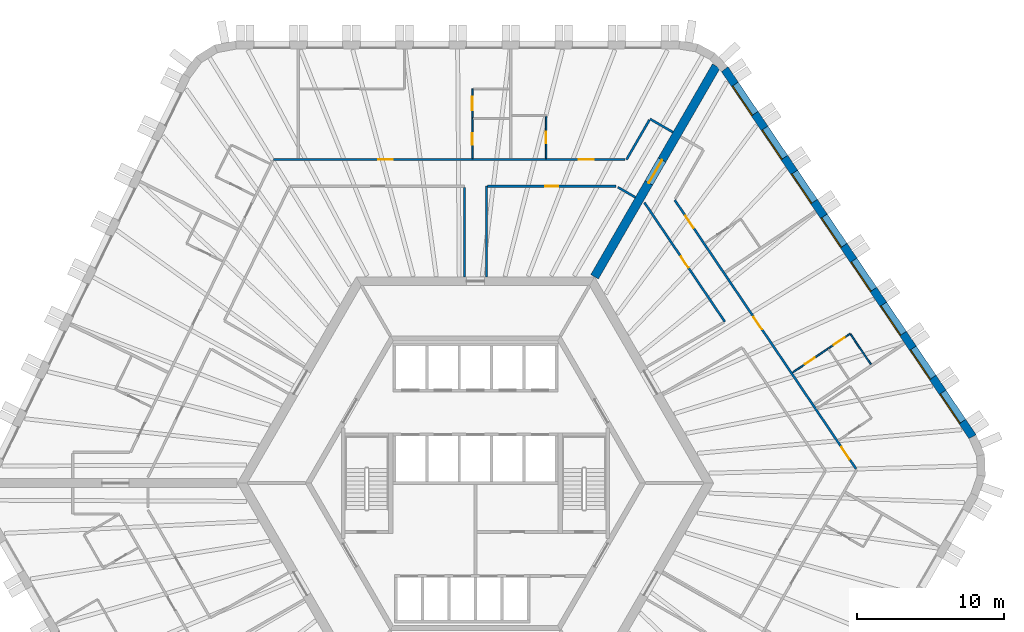
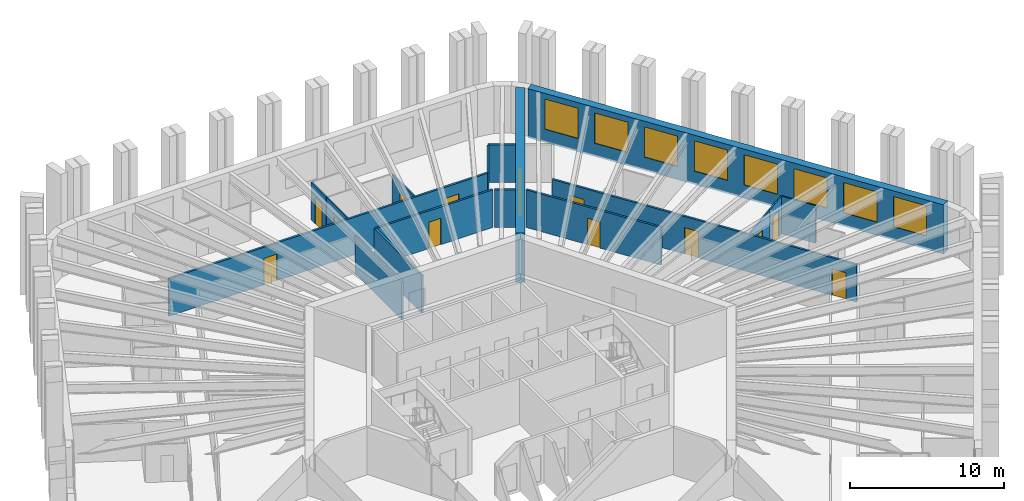
# One storey, part 9 of 12: 17 walls, 13 doors, 8 windows, 21 openings.
"""IFC4 building model written with IfcOpenShell, lengths in metres."""

from ifc_helpers import new_model, si_unit, direction, frame, frame_2d, origin, place, context, subcontext, project, spatial, polyline, rectangle, outline, extrude, material, layer, layer_set, type_object, element, fill, save


model = new_model("IFC4")

# Units and contexts
model_context = context("Model", 3, precision=1e-05, world=origin(), true_north=direction((0.0, 1.0)))
body_context = subcontext(model_context, "Body", "Model", "MODEL_VIEW")
ifc_project = project(units=[si_unit("LENGTHUNIT", "METRE"), si_unit("AREAUNIT", "SQUARE_METRE"), si_unit("VOLUMEUNIT", "CUBIC_METRE"), si_unit("PLANEANGLEUNIT", "RADIAN"), si_unit("MASSUNIT", "GRAM", prefix="KILO")], contexts=[model_context])

# Site, building, storey
site_placement = place(None, origin())
site = spatial("IfcSite", under=ifc_project, at=site_placement, CompositionType="ELEMENT")
building_placement = place(site_placement, origin())
building = spatial("IfcBuilding", under=site, at=building_placement, Name="Tarnside Tower", CompositionType="ELEMENT")
storey_placement = place(building_placement, frame((0.0, 0.0, 60.89990234375)))
storey = spatial("IfcBuildingStorey", under=building, at=storey_placement, Name="L12", CompositionType="ELEMENT", Elevation=60.89990234375)

# Wall, opening, door
ifc_material_1 = material(Name="Gypsum board partition on steel studs", Category="steel")
ifc_layer_1 = layer(ifc_material_1, 0.10009765625)
ifc_layer_set_1 = layer_set([ifc_layer_1], Name="Bathroom wall 100")
wall_type_1 = type_object("IfcWallType", Name="Bathroom wall 100", PredefinedType="PARTITIONING", material=ifc_layer_set_1)
wall_1_placement = place(storey_placement, frame((4.7890625, 24.89990234375, 0.0), z_axis=(0.0, 0.0, 1.0), x_axis=(0.0, -1.0, 0.0)))
wall_1 = element("IfcWall", 1, at=wall_1_placement, inside=storey, type_object=wall_type_1, Name="Bathroom wall 03073", PredefinedType="PARTITIONING", context=body_context, shape_type="SweptSolid", body=[
    extrude(rectangle(XDim=2.875, YDim=0.10009765625, at=frame_2d((1.4375, 0.0))), origin(), (0.0, 0.0, 1.0), 2.98779296875),
])
opening_1_placement = place(wall_1_placement, frame((1.050048828125, 0.0, 0.0)))
opening_1 = element("IfcOpeningElement", 2, at=opening_1_placement, cuts=wall_1, Name="Opening D-B1", PredefinedType="OPENING", context=body_context, shape_type="SweptSolid", body=[
    extrude(rectangle(XDim=0.800048828125, YDim=2.10009765625, at=frame_2d((0.39990234375, 1.050048828125))), frame((0.0, 0.06005859375, 0.0), z_axis=(0.0, -1.0, 0.0), x_axis=(1.0, 0.0, 0.0)), (0.0, 0.0, 1.0), 0.1201171875),
])
ifc_material_2 = material(Name="Timber door leaf", Category="wood")
door_type_1 = type_object("IfcDoorType", Name="Bathroom door 800", OperationType="NOTDEFINED", PredefinedType="DOOR", material=ifc_material_2)
door_1_placement = place(opening_1_placement, origin())
door_1 = element("IfcDoor", 3, at=door_1_placement, inside=storey, type_object=door_type_1, Name="Bathroom door 03002", OperationType="SINGLE_SWING_LEFT", OverallHeight=2.10009765625, OverallWidth=0.800048828125, PredefinedType="DOOR", context=body_context, shape_type="SweptSolid", body=[
    extrude(rectangle(XDim=0.800048828125, YDim=2.10009765625, at=frame_2d((0.39990234375, 1.050048828125))), frame((0.0, 0.02490234375, 0.0), z_axis=(0.0, -1.0, 0.0), x_axis=(1.0, 0.0, 0.0)), (0.0, 0.0, 1.0), 0.050048828125),
])
fill(opening_1, door_1)

wall_2_placement = place(storey_placement, frame((-0.2109375, 22.02490234375, 0.0), z_axis=(0.0, 0.0, 1.0), x_axis=(0.0, 1.0, 0.0)))
wall_2 = element("IfcWall", 4, at=wall_2_placement, inside=storey, type_object=wall_type_1, Name="Bathroom wall 03078", PredefinedType="PARTITIONING", context=body_context, shape_type="SweptSolid", body=[
    extrude(rectangle(XDim=2.72509765625, YDim=0.10009765625, at=frame_2d((1.362548828125, 0.0))), origin(), (0.0, 0.0, 1.0), 2.98779296875),
])
opening_2_placement = place(wall_2_placement, frame((0.925048828125, 0.0, 0.0)))
opening_2 = element("IfcOpeningElement", 5, at=opening_2_placement, cuts=wall_2, Name="Opening D-B1", PredefinedType="OPENING", context=body_context, shape_type="SweptSolid", body=[
    extrude(rectangle(XDim=0.800048828125, YDim=2.10009765625, at=frame_2d((0.39990234375, 1.050048828125))), frame((0.0, 0.06005859375, 0.0), z_axis=(0.0, -1.0, 0.0), x_axis=(1.0, 0.0, 0.0)), (0.0, 0.0, 1.0), 0.1201171875),
])
door_2_placement = place(opening_2_placement, origin())
door_2 = element("IfcDoor", 6, at=door_2_placement, inside=storey, type_object=door_type_1, Name="Bathroom door 03004", OperationType="SINGLE_SWING_RIGHT", OverallHeight=2.10009765625, OverallWidth=0.800048828125, PredefinedType="DOOR", context=body_context, shape_type="SweptSolid", body=[
    extrude(rectangle(XDim=0.800048828125, YDim=2.10009765625, at=frame_2d((0.39990234375, 1.050048828125))), frame((0.0, 0.02490234375, 0.0), z_axis=(0.0, -1.0, 0.0), x_axis=(1.0, 0.0, 0.0)), (0.0, 0.0, 1.0), 0.050048828125),
])
fill(opening_2, door_2)

wall_3_placement = place(storey_placement, frame((21.509033203125, 7.49853515625, 0.0), z_axis=(0.0, 0.0, 1.0), x_axis=(0.829033436212, 0.559199035802, 0.0)))
wall_3 = element("IfcWall", 7, at=wall_3_placement, inside=storey, type_object=wall_type_1, Name="Bathroom wall 03144", PredefinedType="PARTITIONING", context=body_context, shape_type="SweptSolid", body=[
    extrude(rectangle(XDim=2.925048828125, YDim=0.10009765625, at=frame_2d((1.46240234375, 0.0))), origin(), (0.0, 0.0, 1.0), 2.98779296875),
])
opening_3_placement = place(wall_3_placement, frame((1.02490234375, 0.0, 0.0)))
opening_3 = element("IfcOpeningElement", 8, at=opening_3_placement, cuts=wall_3, Name="Opening D-B1", PredefinedType="OPENING", context=body_context, shape_type="SweptSolid", body=[
    extrude(rectangle(XDim=0.800048828125, YDim=2.10009765625, at=frame_2d((0.39990234375, 1.050048828125))), frame((0.0, 0.06005859375, 0.0), z_axis=(0.0, -1.0, 0.0), x_axis=(1.0, 0.0, 0.0)), (0.0, 0.0, 1.0), 0.1201171875),
])
door_3_placement = place(opening_3_placement, origin())
door_3 = element("IfcDoor", 9, at=door_3_placement, inside=storey, type_object=door_type_1, Name="Bathroom door 03035", OperationType="SINGLE_SWING_RIGHT", OverallHeight=2.10009765625, OverallWidth=0.800048828125, PredefinedType="DOOR", context=body_context, shape_type="SweptSolid", body=[
    extrude(rectangle(XDim=0.800048828125, YDim=2.10009765625, at=frame_2d((0.39990234375, 1.050048828125))), frame((0.0, 0.02490234375, 0.0), z_axis=(0.0, -1.0, 0.0), x_axis=(1.0, 0.0, 0.0)), (0.0, 0.0, 1.0), 0.050048828125),
])
fill(opening_3, door_3)

ifc_material_3 = material(Name="Concrete C80/95", Category="concrete")
ifc_layer_2 = layer(ifc_material_3, 0.60009765625)
ifc_layer_set_2 = layer_set([ifc_layer_2], Name="Core wall Z1 600 C80/95")
wall_type_2 = type_object("IfcWallType", Name="Core wall Z1 600 C80/95", PredefinedType="SHEAR", material=ifc_layer_set_2)
wall_4_placement = place(storey_placement, frame((8.0830078125, 14.0, -0.14990234375), z_axis=(0.0, 0.0, 1.0), x_axis=(0.499997680643, 0.866026742862, 0.0)))
wall_4 = element("IfcWall", 10, at=wall_4_placement, inside=storey, type_object=wall_type_2, Name="L12 spine wall 1", PredefinedType="SHEAR", context=body_context, shape_type="SweptSolid", body=[
    extrude(rectangle(XDim=16.5087890625, YDim=0.60009765625, at=frame_2d((8.25439453125, 0.0))), origin(), (0.0, 0.0, 1.0), 3.89990234375),
])
opening_4_placement = place(wall_4_placement, frame((7.3544921875, 0.0, 0.14990234375)))
opening_4 = element("IfcOpeningElement", 11, at=opening_4_placement, cuts=wall_4, Name="Opening CD-SPN", PredefinedType="OPENING", context=body_context, shape_type="SweptSolid", body=[
    extrude(rectangle(XDim=1.800048828125, YDim=2.39990234375, at=frame_2d((0.89990234375, 1.199951171875))), frame((0.0, 0.31005859375, 0.0), z_axis=(0.0, -1.0, 0.0), x_axis=(1.0, 0.0, 0.0)), (0.0, 0.0, 1.0), 0.6201171875),
])
ifc_material_4 = material(Name="Steel fire door", Category="steel")
door_type_2 = type_object("IfcDoorType", Name="Spine passage double door FD60 1800x2400", OperationType="NOTDEFINED", PredefinedType="DOOR", material=ifc_material_4)
door_4_placement = place(opening_4_placement, origin())
door_4 = element("IfcDoor", 12, at=door_4_placement, inside=storey, type_object=door_type_2, Name="L12 spine passage door 1", OperationType="DOUBLE_DOOR_SINGLE_SWING", OverallHeight=2.39990234375, OverallWidth=1.800048828125, PredefinedType="DOOR", context=body_context, shape_type="SweptSolid", body=[
    extrude(rectangle(XDim=1.800048828125, YDim=2.39990234375, at=frame_2d((0.89990234375, 1.199951171875))), frame((0.0, 0.02490234375, 0.0), z_axis=(0.0, -1.0, 0.0), x_axis=(1.0, 0.0, 0.0)), (0.0, 0.0, 1.0), 0.050048828125),
])
fill(opening_4, door_4)

# Walls
ifc_layer_3 = layer(ifc_material_1, 0.14990234375)
ifc_layer_set_3 = layer_set([ifc_layer_3], Name="Corridor wall 150 EI 60")
wall_type_3 = type_object("IfcWallType", Name="Corridor wall 150 EI 60", PredefinedType="PARTITIONING", material=ifc_layer_set_3)
wall_5_placement = place(storey_placement, frame((13.400390625, 23.81005859375, 0.0), z_axis=(0.0, 0.0, 1.0), x_axis=(-0.865989075817, 0.500062916607, 0.0)))
element("IfcWall", 13, at=wall_5_placement, inside=storey, type_object=wall_type_3, Name="Corridor wall 03001", PredefinedType="PARTITIONING", context=body_context, shape_type="SweptSolid", body=[
    extrude(rectangle(XDim=1.800048828125, YDim=0.14990234375, at=frame_2d((0.89990234375, 0.0))), origin(), (0.0, 0.0, 1.0), 2.98779296875),
])
wall_6_placement = place(storey_placement, frame((11.803955078125, 24.64501953125, 0.0), z_axis=(0.0, 0.0, 1.0), x_axis=(-0.499978251519, -0.866037959912, 0.0)))
element("IfcWall", 14, at=wall_6_placement, inside=storey, type_object=wall_type_3, Name="Corridor wall 03002", PredefinedType="PARTITIONING", context=body_context, shape_type="SweptSolid", body=[
    extrude(rectangle(XDim=3.112060546875, YDim=0.14990234375, at=frame_2d((1.55615234375, 0.0))), origin(), (0.0, 0.0, 1.0), 2.98779296875),
])

# Wall, openings, doors
wall_7_placement = place(storey_placement, frame((10.161376953125, 21.949951171875, 0.0), z_axis=(0.0, 0.0, 1.0), x_axis=(-1.0, 0.0, 0.0)))
wall_7 = element("IfcWall", 15, at=wall_7_placement, inside=storey, type_object=wall_type_3, Name="Corridor wall 03003", PredefinedType="PARTITIONING", context=body_context, shape_type="SweptSolid", body=[
    extrude(rectangle(XDim=23.877197265625, YDim=0.14990234375, at=frame_2d((11.9384765625, 0.0))), origin(), (0.0, 0.0, 1.0), 2.98779296875),
])
opening_5_placement = place(wall_7_placement, frame((2.142822265625, 0.0, 0.0)))
opening_5 = element("IfcOpeningElement", 16, at=opening_5_placement, cuts=wall_7, Name="Opening D-E1", PredefinedType="OPENING", context=body_context, shape_type="SweptSolid", body=[
    extrude(rectangle(XDim=1.0, YDim=2.10009765625, at=frame_2d((0.5, 1.050048828125))), frame((0.0, 0.0849609375, 0.0), z_axis=(0.0, -1.0, 0.0), x_axis=(1.0, 0.0, 0.0)), (0.0, 0.0, 1.0), 0.169921875),
])
opening_6_placement = place(wall_7_placement, frame((15.7724609375, 0.0, 0.0)))
opening_6 = element("IfcOpeningElement", 17, at=opening_6_placement, cuts=wall_7, Name="Opening D-E1", PredefinedType="OPENING", context=body_context, shape_type="SweptSolid", body=[
    extrude(rectangle(XDim=1.0, YDim=2.10009765625, at=frame_2d((0.5, 1.050048828125))), frame((0.0, 0.0849609375, 0.0), z_axis=(0.0, -1.0, 0.0), x_axis=(1.0, 0.0, 0.0)), (0.0, 0.0, 1.0), 0.169921875),
])
door_type_3 = type_object("IfcDoorType", Name="Unit entrance door 1000 FD30S", OperationType="NOTDEFINED", PredefinedType="DOOR", material=ifc_material_2)
door_5_placement = place(opening_5_placement, origin())
door_5 = element("IfcDoor", 18, at=door_5_placement, inside=storey, type_object=door_type_3, Name="Unit door 03001", OperationType="SINGLE_SWING_RIGHT", OverallHeight=2.10009765625, OverallWidth=1.0, PredefinedType="DOOR", context=body_context, shape_type="SweptSolid", body=[
    extrude(rectangle(XDim=1.0, YDim=2.10009765625, at=frame_2d((0.5, 1.050048828125))), frame((0.0, 0.02490234375, 0.0), z_axis=(0.0, -1.0, 0.0), x_axis=(1.0, 0.0, 0.0)), (0.0, 0.0, 1.0), 0.050048828125),
])
fill(opening_5, door_5)
door_6_placement = place(opening_6_placement, origin())
door_6 = element("IfcDoor", 19, at=door_6_placement, inside=storey, type_object=door_type_3, Name="Unit door 03003", OperationType="SINGLE_SWING_RIGHT", OverallHeight=2.10009765625, OverallWidth=1.0, PredefinedType="DOOR", context=body_context, shape_type="SweptSolid", body=[
    extrude(rectangle(XDim=1.0, YDim=2.10009765625, at=frame_2d((0.5, 1.050048828125))), frame((0.0, 0.02490234375, 0.0), z_axis=(0.0, -1.0, 0.0), x_axis=(1.0, 0.0, 0.0)), (0.0, 0.0, 1.0), 0.050048828125),
])
fill(opening_6, door_6)

# Walls
wall_8_placement = place(storey_placement, frame((-0.75, 20.074951171875, 0.0), z_axis=(0.0, 0.0, 1.0), x_axis=(0.0, -1.0, 0.0)))
element("IfcWall", 20, at=wall_8_placement, inside=storey, type_object=wall_type_3, Name="Corridor wall 03020", PredefinedType="PARTITIONING", context=body_context, shape_type="SweptSolid", body=[
    extrude(rectangle(XDim=6.074951171875, YDim=0.14990234375, at=frame_2d((3.03759765625, 0.0))), origin(), (0.0, 0.0, 1.0), 2.98779296875),
])
wall_9_placement = place(storey_placement, frame((0.75, 14.0, 0.0), z_axis=(0.0, 0.0, 1.0), x_axis=(0.0, 1.0, 0.0)))
element("IfcWall", 21, at=wall_9_placement, inside=storey, type_object=wall_type_3, Name="Corridor wall 03021", PredefinedType="PARTITIONING", context=body_context, shape_type="SweptSolid", body=[
    extrude(rectangle(XDim=6.14990234375, YDim=0.14990234375, at=frame_2d((3.074951171875, 0.0))), origin(), (0.0, 0.0, 1.0), 2.98779296875),
])

# Wall, opening, door
wall_10_placement = place(storey_placement, frame((0.824951171875, 20.14990234375, 0.0), z_axis=(0.0, 0.0, 1.0), x_axis=(1.0, 0.0, 0.0)))
wall_10 = element("IfcWall", 22, at=wall_10_placement, inside=storey, type_object=wall_type_3, Name="Corridor wall 03022", PredefinedType="PARTITIONING", context=body_context, shape_type="SweptSolid", body=[
    extrude(rectangle(XDim=8.712158203125, YDim=0.14990234375, at=frame_2d((4.35595703125, 0.0))), origin(), (0.0, 0.0, 1.0), 2.98779296875),
])
opening_7_placement = place(wall_10_placement, frame((3.906005859375, 0.0, 0.0)))
opening_7 = element("IfcOpeningElement", 23, at=opening_7_placement, cuts=wall_10, Name="Opening D-S1", PredefinedType="OPENING", context=body_context, shape_type="SweptSolid", body=[
    extrude(rectangle(XDim=0.89990234375, YDim=2.10009765625, at=frame_2d((0.449951171875, 1.050048828125))), frame((0.0, 0.0849609375, 0.0), z_axis=(0.0, -1.0, 0.0), x_axis=(1.0, 0.0, 0.0)), (0.0, 0.0, 1.0), 0.169921875),
])
door_type_4 = type_object("IfcDoorType", Name="Service room door 900 FD30S", OperationType="NOTDEFINED", PredefinedType="DOOR", material=ifc_material_2)
door_7_placement = place(opening_7_placement, origin())
door_7 = element("IfcDoor", 24, at=door_7_placement, inside=storey, type_object=door_type_4, Name="Service door 03040", OperationType="SINGLE_SWING_RIGHT", OverallHeight=2.10009765625, OverallWidth=0.89990234375, PredefinedType="DOOR", context=body_context, shape_type="SweptSolid", body=[
    extrude(rectangle(XDim=0.89990234375, YDim=2.10009765625, at=frame_2d((0.449951171875, 1.050048828125))), frame((0.0, 0.02490234375, 0.0), z_axis=(0.0, -1.0, 0.0), x_axis=(1.0, 0.0, 0.0)), (0.0, 0.0, 1.0), 0.050048828125),
])
fill(opening_7, door_7)

# Wall
wall_11_placement = place(storey_placement, frame((9.6669921875, 20.074951171875, 0.0), z_axis=(0.0, 0.0, 1.0), x_axis=(0.866000994684, -0.500042275419, 0.0)))
element("IfcWall", 25, at=wall_11_placement, inside=storey, type_object=wall_type_3, Name="Corridor wall 03023", PredefinedType="PARTITIONING", context=body_context, shape_type="SweptSolid", body=[
    extrude(rectangle(XDim=1.36572265625, YDim=0.14990234375, at=frame_2d((0.682861328125, 0.0))), origin(), (0.0, 0.0, 1.0), 2.98779296875),
])

# Wall, openings, doors
wall_12_placement = place(storey_placement, frame((25.820556640625, 0.972412109375, 0.0), z_axis=(0.0, 0.0, 1.0), x_axis=(-0.559201442833, 0.829031812619, 0.0)))
wall_12 = element("IfcWall", 26, at=wall_12_placement, inside=storey, type_object=wall_type_3, Name="Corridor wall 03053", PredefinedType="PARTITIONING", context=body_context, shape_type="SweptSolid", body=[
    extrude(rectangle(XDim=22.001953125, YDim=0.14990234375, at=frame_2d((11.0009765625, 0.0))), origin(), (0.0, 0.0, 1.0), 2.98779296875),
])
opening_8_placement = place(wall_12_placement, frame((0.76904296875, 0.0, 0.0)))
opening_8 = element("IfcOpeningElement", 27, at=opening_8_placement, cuts=wall_12, Name="Opening D-E1", PredefinedType="OPENING", context=body_context, shape_type="SweptSolid", body=[
    extrude(rectangle(XDim=1.0, YDim=2.10009765625, at=frame_2d((0.5, 1.050048828125))), frame((0.0, 0.0849609375, 0.0), z_axis=(0.0, -1.0, 0.0), x_axis=(1.0, 0.0, 0.0)), (0.0, 0.0, 1.0), 0.169921875),
])
opening_9_placement = place(wall_12_placement, frame((11.42138671875, 0.0, 0.0)))
opening_9 = element("IfcOpeningElement", 28, at=opening_9_placement, cuts=wall_12, Name="Opening D-E1", PredefinedType="OPENING", context=body_context, shape_type="SweptSolid", body=[
    extrude(rectangle(XDim=1.0, YDim=2.10009765625, at=frame_2d((0.5, 1.050048828125))), frame((0.0, 0.0849609375, 0.0), z_axis=(0.0, -1.0, 0.0), x_axis=(1.0, 0.0, 0.0)), (0.0, 0.0, 1.0), 0.169921875),
])
opening_10_placement = place(wall_12_placement, frame((19.71142578125, 0.0, 0.0)))
opening_10 = element("IfcOpeningElement", 29, at=opening_10_placement, cuts=wall_12, Name="Opening D-E1", PredefinedType="OPENING", context=body_context, shape_type="SweptSolid", body=[
    extrude(rectangle(XDim=1.0, YDim=2.10009765625, at=frame_2d((0.5, 1.050048828125))), frame((0.0, 0.0849609375, 0.0), z_axis=(0.0, -1.0, 0.0), x_axis=(1.0, 0.0, 0.0)), (0.0, 0.0, 1.0), 0.169921875),
])
door_8_placement = place(opening_8_placement, origin())
door_8 = element("IfcDoor", 30, at=door_8_placement, inside=storey, type_object=door_type_3, Name="Unit door 03032", OperationType="SINGLE_SWING_RIGHT", OverallHeight=2.10009765625, OverallWidth=1.0, PredefinedType="DOOR", context=body_context, shape_type="SweptSolid", body=[
    extrude(rectangle(XDim=1.0, YDim=2.10009765625, at=frame_2d((0.5, 1.050048828125))), frame((0.0, 0.02490234375, 0.0), z_axis=(0.0, -1.0, 0.0), x_axis=(1.0, 0.0, 0.0)), (0.0, 0.0, 1.0), 0.050048828125),
])
fill(opening_8, door_8)
door_9_placement = place(opening_9_placement, origin())
door_9 = element("IfcDoor", 31, at=door_9_placement, inside=storey, type_object=door_type_3, Name="Unit door 03034", OperationType="SINGLE_SWING_LEFT", OverallHeight=2.10009765625, OverallWidth=1.0, PredefinedType="DOOR", context=body_context, shape_type="SweptSolid", body=[
    extrude(rectangle(XDim=1.0, YDim=2.10009765625, at=frame_2d((0.5, 1.050048828125))), frame((0.0, 0.02490234375, 0.0), z_axis=(0.0, -1.0, 0.0), x_axis=(1.0, 0.0, 0.0)), (0.0, 0.0, 1.0), 0.050048828125),
])
fill(opening_9, door_9)
door_10_placement = place(opening_10_placement, origin())
door_10 = element("IfcDoor", 32, at=door_10_placement, inside=storey, type_object=door_type_3, Name="Unit door 03037", OperationType="SINGLE_SWING_RIGHT", OverallHeight=2.10009765625, OverallWidth=1.0, PredefinedType="DOOR", context=body_context, shape_type="SweptSolid", body=[
    extrude(rectangle(XDim=1.0, YDim=2.10009765625, at=frame_2d((0.5, 1.050048828125))), frame((0.0, 0.02490234375, 0.0), z_axis=(0.0, -1.0, 0.0), x_axis=(1.0, 0.0, 0.0)), (0.0, 0.0, 1.0), 0.050048828125),
])
fill(opening_10, door_10)

# Wall, opening, door
wall_13_placement = place(storey_placement, frame((11.464599609375, 19.037109375, 0.0), z_axis=(0.0, 0.0, 1.0), x_axis=(0.559196064773, -0.829035440221, 0.0)))
wall_13 = element("IfcWall", 33, at=wall_13_placement, inside=storey, type_object=wall_type_3, Name="Corridor wall 03070", PredefinedType="PARTITIONING", context=body_context, shape_type="SweptSolid", body=[
    extrude(rectangle(XDim=9.757080078125, YDim=0.14990234375, at=frame_2d((4.87841796875, 0.0))), origin(), (0.0, 0.0, 1.0), 2.98779296875),
])
opening_11_placement = place(wall_13_placement, frame((4.428466796875, 0.0, 0.0)))
opening_11 = element("IfcOpeningElement", 34, at=opening_11_placement, cuts=wall_13, Name="Opening D-S1", PredefinedType="OPENING", context=body_context, shape_type="SweptSolid", body=[
    extrude(rectangle(XDim=0.89990234375, YDim=2.10009765625, at=frame_2d((0.449951171875, 1.050048828125))), frame((0.0, 0.0849609375, 0.0), z_axis=(0.0, -1.0, 0.0), x_axis=(1.0, 0.0, 0.0)), (0.0, 0.0, 1.0), 0.169921875),
])
door_11_placement = place(opening_11_placement, origin())
door_11 = element("IfcDoor", 35, at=door_11_placement, inside=storey, type_object=door_type_4, Name="Service door 03047", OperationType="SINGLE_SWING_RIGHT", OverallHeight=2.10009765625, OverallWidth=0.89990234375, PredefinedType="DOOR", context=body_context, shape_type="SweptSolid", body=[
    extrude(rectangle(XDim=0.89990234375, YDim=2.10009765625, at=frame_2d((0.449951171875, 1.050048828125))), frame((0.0, 0.02490234375, 0.0), z_axis=(0.0, -1.0, 0.0), x_axis=(1.0, 0.0, 0.0)), (0.0, 0.0, 1.0), 0.050048828125),
])
fill(opening_11, door_11)

ifc_layer_4 = layer(ifc_material_1, 0.10009765625)
ifc_layer_set_4 = layer_set([ifc_layer_4], Name="Partition 100")
wall_type_4 = type_object("IfcWallType", Name="Partition 100", PredefinedType="PARTITIONING", material=ifc_layer_set_4)
wall_14_placement = place(storey_placement, frame((-0.2109375, 24.800048828125, 0.0), z_axis=(0.0, 0.0, 1.0), x_axis=(0.0, 1.0, 0.0)))
wall_14 = element("IfcWall", 36, at=wall_14_placement, inside=storey, type_object=wall_type_4, Name="Partition wall 03079", PredefinedType="PARTITIONING", context=body_context, shape_type="SweptSolid", body=[
    extrude(rectangle(XDim=1.949951171875, YDim=0.10009765625, at=frame_2d((0.97509765625, 0.0))), origin(), (0.0, 0.0, 1.0), 2.98779296875),
])
opening_12_placement = place(wall_14_placement, frame((0.5, 0.0, 0.0)))
opening_12 = element("IfcOpeningElement", 37, at=opening_12_placement, cuts=wall_14, Name="Opening D-I1", PredefinedType="OPENING", context=body_context, shape_type="SweptSolid", body=[
    extrude(rectangle(XDim=0.89990234375, YDim=2.10009765625, at=frame_2d((0.449951171875, 1.050048828125))), frame((0.0, 0.06005859375, 0.0), z_axis=(0.0, -1.0, 0.0), x_axis=(1.0, 0.0, 0.0)), (0.0, 0.0, 1.0), 0.1201171875),
])
door_type_5 = type_object("IfcDoorType", Name="Internal door 900", OperationType="NOTDEFINED", PredefinedType="DOOR", material=ifc_material_2)
door_12_placement = place(opening_12_placement, origin())
door_12 = element("IfcDoor", 38, at=door_12_placement, inside=storey, type_object=door_type_5, Name="Internal door 03005", OperationType="SINGLE_SWING_RIGHT", OverallHeight=2.10009765625, OverallWidth=0.89990234375, PredefinedType="DOOR", context=body_context, shape_type="SweptSolid", body=[
    extrude(rectangle(XDim=0.89990234375, YDim=2.10009765625, at=frame_2d((0.449951171875, 1.050048828125))), frame((0.0, 0.02490234375, 0.0), z_axis=(0.0, -1.0, 0.0), x_axis=(1.0, 0.0, 0.0)), (0.0, 0.0, 1.0), 0.050048828125),
])
fill(opening_12, door_12)

wall_15_placement = place(storey_placement, frame((23.975341796875, 9.162109375, 0.0), z_axis=(0.0, 0.0, 1.0), x_axis=(0.829011970545, 0.559230858138, 0.0)))
wall_15 = element("IfcWall", 39, at=wall_15_placement, inside=storey, type_object=wall_type_4, Name="Partition wall 03145", PredefinedType="PARTITIONING", context=body_context, shape_type="SweptSolid", body=[
    extrude(rectangle(XDim=1.750244140625, YDim=0.10009765625, at=frame_2d((0.875, 0.0))), origin(), (0.0, 0.0, 1.0), 2.98779296875),
])
opening_13_placement = place(wall_15_placement, frame((0.39990234375, 0.0, 0.0)))
opening_13 = element("IfcOpeningElement", 40, at=opening_13_placement, cuts=wall_15, Name="Opening D-I1", PredefinedType="OPENING", context=body_context, shape_type="SweptSolid", body=[
    extrude(rectangle(XDim=0.89990234375, YDim=2.10009765625, at=frame_2d((0.449951171875, 1.050048828125))), frame((0.0, 0.06005859375, 0.0), z_axis=(0.0, -1.0, 0.0), x_axis=(1.0, 0.0, 0.0)), (0.0, 0.0, 1.0), 0.1201171875),
])
door_13_placement = place(opening_13_placement, origin())
door_13 = element("IfcDoor", 41, at=door_13_placement, inside=storey, type_object=door_type_5, Name="Internal door 03036", OperationType="SINGLE_SWING_RIGHT", OverallHeight=2.10009765625, OverallWidth=0.89990234375, PredefinedType="DOOR", context=body_context, shape_type="SweptSolid", body=[
    extrude(rectangle(XDim=0.89990234375, YDim=2.10009765625, at=frame_2d((0.449951171875, 1.050048828125))), frame((0.0, 0.02490234375, 0.0), z_axis=(0.0, -1.0, 0.0), x_axis=(1.0, 0.0, 0.0)), (0.0, 0.0, 1.0), 0.050048828125),
])
fill(opening_13, door_13)

# Wall
wall_16_placement = place(storey_placement, frame((25.454345703125, 10.099365234375, 0.0), z_axis=(0.0, 0.0, 1.0), x_axis=(0.559135322609, -0.829076408427, 0.0)))
element("IfcWall", 42, at=wall_16_placement, inside=storey, type_object=wall_type_4, Name="Partition wall 03146", PredefinedType="PARTITIONING", context=body_context, shape_type="SweptSolid", body=[
    extrude(rectangle(XDim=2.4599609375, YDim=0.10009765625, at=frame_2d((1.22998046875, 0.0))), origin(), (0.0, 0.0, 1.0), 2.98779296875),
])

# Wall, openings, windows
ifc_material_5 = material(Name="Facing brick", Category="masonry")
ifc_layer_5 = layer(ifc_material_5, 0.10205078125)
ifc_material_6 = material(Name="Concrete C60/75 precast", Category="concrete")
ifc_layer_6 = layer(ifc_material_6, 0.347900390625)
ifc_material_7 = material(Name="Mineral wool insulation")
ifc_layer_7 = layer(ifc_material_7, 0.10009765625)
ifc_layer_set_5 = layer_set([ifc_layer_5, ifc_layer_6, ifc_layer_7], Name="Tube wall 550 brick faced")
wall_type_5 = type_object("IfcWallType", Name="Tube wall 550 brick faced", PredefinedType="SOLIDWALL", material=ifc_layer_set_5)
wall_17_placement = place(storey_placement, frame((33.72802734375, 3.153076171875, -0.14990234375), z_axis=(0.0, 0.0, 1.0), x_axis=(-0.559192411416, 0.82903790445, 0.0)))
wall_17 = element("IfcWall", 43, at=wall_17_placement, inside=storey, type_object=wall_type_5, Name="Tube wall L12 F6 flush 20", PredefinedType="SOLIDWALL", context=body_context, shape_type="SweptSolid", body=[
    extrude(outline(polyline([(-0.025634765625, -0.27490234375), (30.09326171875, -0.27490234375), (30.04833984375, 0.27490234375), (0.025634765625, 0.27490234375), (-0.025634765625, -0.27490234375)])), origin(), (0.0, 0.0, 1.0), 3.89990234375),
])
opening_14_placement = place(wall_17_placement, frame((1.235595703125, 0.0, 1.050048828125)))
opening_14 = element("IfcOpeningElement", 44, at=opening_14_placement, cuts=wall_17, Name="Opening WH", PredefinedType="OPENING", context=body_context, shape_type="SweptSolid", body=[
    extrude(rectangle(XDim=2.39990234375, YDim=2.39990234375, at=frame_2d((1.199951171875, 1.199951171875))), frame((0.0, 0.28515625, 0.0), z_axis=(0.0, -1.0, 0.0), x_axis=(1.0, 0.0, 0.0)), (0.0, 0.0, 1.0), 0.570068359375),
])
opening_15_placement = place(wall_17_placement, frame((4.83544921875, 0.0, 1.050048828125)))
opening_15 = element("IfcOpeningElement", 45, at=opening_15_placement, cuts=wall_17, Name="Opening WH", PredefinedType="OPENING", context=body_context, shape_type="SweptSolid", body=[
    extrude(rectangle(XDim=2.39990234375, YDim=2.39990234375, at=frame_2d((1.199951171875, 1.199951171875))), frame((0.0, 0.28515625, 0.0), z_axis=(0.0, -1.0, 0.0), x_axis=(1.0, 0.0, 0.0)), (0.0, 0.0, 1.0), 0.570068359375),
])
opening_16_placement = place(wall_17_placement, frame((8.435546875, 0.0, 1.050048828125)))
opening_16 = element("IfcOpeningElement", 46, at=opening_16_placement, cuts=wall_17, Name="Opening WH", PredefinedType="OPENING", context=body_context, shape_type="SweptSolid", body=[
    extrude(rectangle(XDim=2.39990234375, YDim=2.39990234375, at=frame_2d((1.199951171875, 1.199951171875))), frame((0.0, 0.28515625, 0.0), z_axis=(0.0, -1.0, 0.0), x_axis=(1.0, 0.0, 0.0)), (0.0, 0.0, 1.0), 0.570068359375),
])
opening_17_placement = place(wall_17_placement, frame((12.035400390625, 0.0, 1.050048828125)))
opening_17 = element("IfcOpeningElement", 47, at=opening_17_placement, cuts=wall_17, Name="Opening WH", PredefinedType="OPENING", context=body_context, shape_type="SweptSolid", body=[
    extrude(rectangle(XDim=2.39990234375, YDim=2.39990234375, at=frame_2d((1.199951171875, 1.199951171875))), frame((0.0, 0.28515625, 0.0), z_axis=(0.0, -1.0, 0.0), x_axis=(1.0, 0.0, 0.0)), (0.0, 0.0, 1.0), 0.570068359375),
])
opening_18_placement = place(wall_17_placement, frame((15.635498046875, 0.0, 1.050048828125)))
opening_18 = element("IfcOpeningElement", 48, at=opening_18_placement, cuts=wall_17, Name="Opening WH", PredefinedType="OPENING", context=body_context, shape_type="SweptSolid", body=[
    extrude(rectangle(XDim=2.39990234375, YDim=2.39990234375, at=frame_2d((1.199951171875, 1.199951171875))), frame((0.0, 0.28515625, 0.0), z_axis=(0.0, -1.0, 0.0), x_axis=(1.0, 0.0, 0.0)), (0.0, 0.0, 1.0), 0.570068359375),
])
opening_19_placement = place(wall_17_placement, frame((19.235595703125, 0.0, 1.050048828125)))
opening_19 = element("IfcOpeningElement", 49, at=opening_19_placement, cuts=wall_17, Name="Opening WH", PredefinedType="OPENING", context=body_context, shape_type="SweptSolid", body=[
    extrude(rectangle(XDim=2.39990234375, YDim=2.39990234375, at=frame_2d((1.199951171875, 1.199951171875))), frame((0.0, 0.28515625, 0.0), z_axis=(0.0, -1.0, 0.0), x_axis=(1.0, 0.0, 0.0)), (0.0, 0.0, 1.0), 0.570068359375),
])
opening_20_placement = place(wall_17_placement, frame((22.83544921875, 0.0, 1.050048828125)))
opening_20 = element("IfcOpeningElement", 50, at=opening_20_placement, cuts=wall_17, Name="Opening WH", PredefinedType="OPENING", context=body_context, shape_type="SweptSolid", body=[
    extrude(rectangle(XDim=2.39990234375, YDim=2.39990234375, at=frame_2d((1.199951171875, 1.199951171875))), frame((0.0, 0.28515625, 0.0), z_axis=(0.0, -1.0, 0.0), x_axis=(1.0, 0.0, 0.0)), (0.0, 0.0, 1.0), 0.570068359375),
])
opening_21_placement = place(wall_17_placement, frame((26.435546875, 0.0, 1.050048828125)))
opening_21 = element("IfcOpeningElement", 51, at=opening_21_placement, cuts=wall_17, Name="Opening WH", PredefinedType="OPENING", context=body_context, shape_type="SweptSolid", body=[
    extrude(rectangle(XDim=2.39990234375, YDim=2.39990234375, at=frame_2d((1.199951171875, 1.199951171875))), frame((0.0, 0.28515625, 0.0), z_axis=(0.0, -1.0, 0.0), x_axis=(1.0, 0.0, 0.0)), (0.0, 0.0, 1.0), 0.570068359375),
])
ifc_material_8 = material(Name="Aluminium-framed double glazing", Category="aluminium")
window_type = type_object("IfcWindowType", Name="Hotel window 2400 x 2400", PartitioningType="DOUBLE_PANEL_VERTICAL", PredefinedType="WINDOW", material=ifc_material_8)
window_1_placement = place(opening_14_placement, frame((0.0, 0.205078125, 0.0)))
window_1 = element("IfcWindow", 52, at=window_1_placement, inside=storey, type_object=window_type, Name="E.WN.L12.F6.00", OverallHeight=2.39990234375, OverallWidth=2.39990234375, PartitioningType="DOUBLE_PANEL_VERTICAL", PredefinedType="WINDOW", context=body_context, shape_type="SweptSolid", body=[
    extrude(rectangle(XDim=2.39990234375, YDim=2.39990234375, at=frame_2d((1.199951171875, 1.199951171875))), frame((0.0, 0.030029296875, 0.0), z_axis=(0.0, -1.0, 0.0), x_axis=(1.0, 0.0, 0.0)), (0.0, 0.0, 1.0), 0.06005859375),
])
fill(opening_14, window_1)
window_2_placement = place(opening_15_placement, frame((0.0, 0.205078125, 0.0)))
window_2 = element("IfcWindow", 53, at=window_2_placement, inside=storey, type_object=window_type, Name="E.WN.L12.F6.01", OverallHeight=2.39990234375, OverallWidth=2.39990234375, PartitioningType="DOUBLE_PANEL_VERTICAL", PredefinedType="WINDOW", context=body_context, shape_type="SweptSolid", body=[
    extrude(rectangle(XDim=2.39990234375, YDim=2.39990234375, at=frame_2d((1.199951171875, 1.199951171875))), frame((0.0, 0.030029296875, 0.0), z_axis=(0.0, -1.0, 0.0), x_axis=(1.0, 0.0, 0.0)), (0.0, 0.0, 1.0), 0.06005859375),
])
fill(opening_15, window_2)
window_3_placement = place(opening_16_placement, frame((0.0, 0.205078125, 0.0)))
window_3 = element("IfcWindow", 54, at=window_3_placement, inside=storey, type_object=window_type, Name="E.WN.L12.F6.02", OverallHeight=2.39990234375, OverallWidth=2.39990234375, PartitioningType="DOUBLE_PANEL_VERTICAL", PredefinedType="WINDOW", context=body_context, shape_type="SweptSolid", body=[
    extrude(rectangle(XDim=2.39990234375, YDim=2.39990234375, at=frame_2d((1.199951171875, 1.199951171875))), frame((0.0, 0.030029296875, 0.0), z_axis=(0.0, -1.0, 0.0), x_axis=(1.0, 0.0, 0.0)), (0.0, 0.0, 1.0), 0.06005859375),
])
fill(opening_16, window_3)
window_4_placement = place(opening_17_placement, frame((0.0, 0.205078125, 0.0)))
window_4 = element("IfcWindow", 55, at=window_4_placement, inside=storey, type_object=window_type, Name="E.WN.L12.F6.03", OverallHeight=2.39990234375, OverallWidth=2.39990234375, PartitioningType="DOUBLE_PANEL_VERTICAL", PredefinedType="WINDOW", context=body_context, shape_type="SweptSolid", body=[
    extrude(rectangle(XDim=2.39990234375, YDim=2.39990234375, at=frame_2d((1.199951171875, 1.199951171875))), frame((0.0, 0.030029296875, 0.0), z_axis=(0.0, -1.0, 0.0), x_axis=(1.0, 0.0, 0.0)), (0.0, 0.0, 1.0), 0.06005859375),
])
fill(opening_17, window_4)
window_5_placement = place(opening_18_placement, frame((0.0, 0.205078125, 0.0)))
window_5 = element("IfcWindow", 56, at=window_5_placement, inside=storey, type_object=window_type, Name="E.WN.L12.F6.04", OverallHeight=2.39990234375, OverallWidth=2.39990234375, PartitioningType="DOUBLE_PANEL_VERTICAL", PredefinedType="WINDOW", context=body_context, shape_type="SweptSolid", body=[
    extrude(rectangle(XDim=2.39990234375, YDim=2.39990234375, at=frame_2d((1.199951171875, 1.199951171875))), frame((0.0, 0.030029296875, 0.0), z_axis=(0.0, -1.0, 0.0), x_axis=(1.0, 0.0, 0.0)), (0.0, 0.0, 1.0), 0.06005859375),
])
fill(opening_18, window_5)
window_6_placement = place(opening_19_placement, frame((0.0, 0.205078125, 0.0)))
window_6 = element("IfcWindow", 57, at=window_6_placement, inside=storey, type_object=window_type, Name="E.WN.L12.F6.05", OverallHeight=2.39990234375, OverallWidth=2.39990234375, PartitioningType="DOUBLE_PANEL_VERTICAL", PredefinedType="WINDOW", context=body_context, shape_type="SweptSolid", body=[
    extrude(rectangle(XDim=2.39990234375, YDim=2.39990234375, at=frame_2d((1.199951171875, 1.199951171875))), frame((0.0, 0.030029296875, 0.0), z_axis=(0.0, -1.0, 0.0), x_axis=(1.0, 0.0, 0.0)), (0.0, 0.0, 1.0), 0.06005859375),
])
fill(opening_19, window_6)
window_7_placement = place(opening_20_placement, frame((0.0, 0.205078125, 0.0)))
window_7 = element("IfcWindow", 58, at=window_7_placement, inside=storey, type_object=window_type, Name="E.WN.L12.F6.06", OverallHeight=2.39990234375, OverallWidth=2.39990234375, PartitioningType="DOUBLE_PANEL_VERTICAL", PredefinedType="WINDOW", context=body_context, shape_type="SweptSolid", body=[
    extrude(rectangle(XDim=2.39990234375, YDim=2.39990234375, at=frame_2d((1.199951171875, 1.199951171875))), frame((0.0, 0.030029296875, 0.0), z_axis=(0.0, -1.0, 0.0), x_axis=(1.0, 0.0, 0.0)), (0.0, 0.0, 1.0), 0.06005859375),
])
fill(opening_20, window_7)
window_8_placement = place(opening_21_placement, frame((0.0, 0.205078125, 0.0)))
window_8 = element("IfcWindow", 59, at=window_8_placement, inside=storey, type_object=window_type, Name="E.WN.L12.F6.07", OverallHeight=2.39990234375, OverallWidth=2.39990234375, PartitioningType="DOUBLE_PANEL_VERTICAL", PredefinedType="WINDOW", context=body_context, shape_type="SweptSolid", body=[
    extrude(rectangle(XDim=2.39990234375, YDim=2.39990234375, at=frame_2d((1.199951171875, 1.199951171875))), frame((0.0, 0.030029296875, 0.0), z_axis=(0.0, -1.0, 0.0), x_axis=(1.0, 0.0, 0.0)), (0.0, 0.0, 1.0), 0.06005859375),
])
fill(opening_21, window_8)

save(model, "model.ifc")
